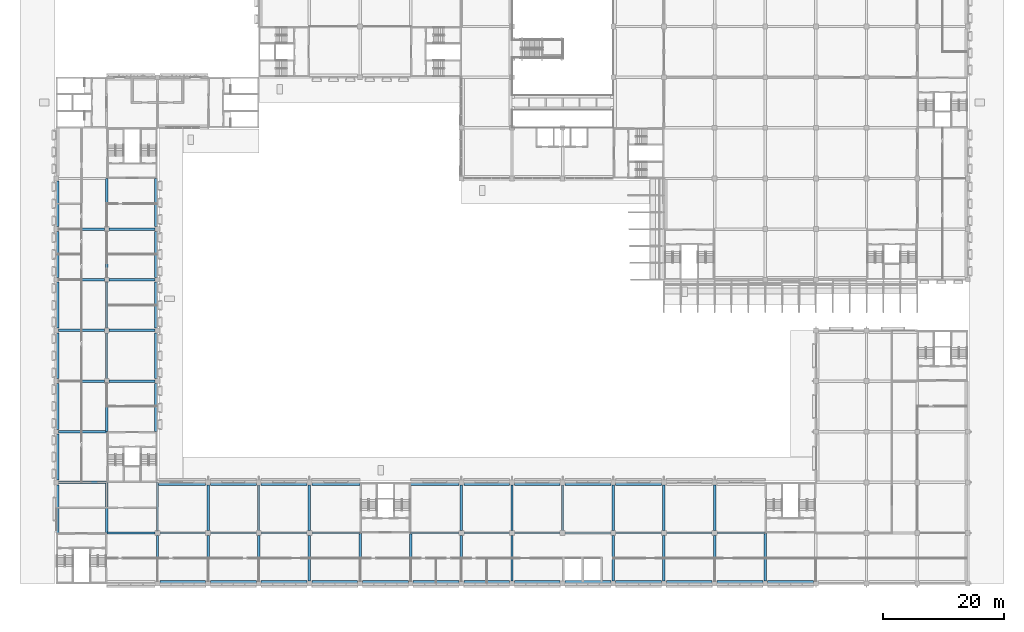
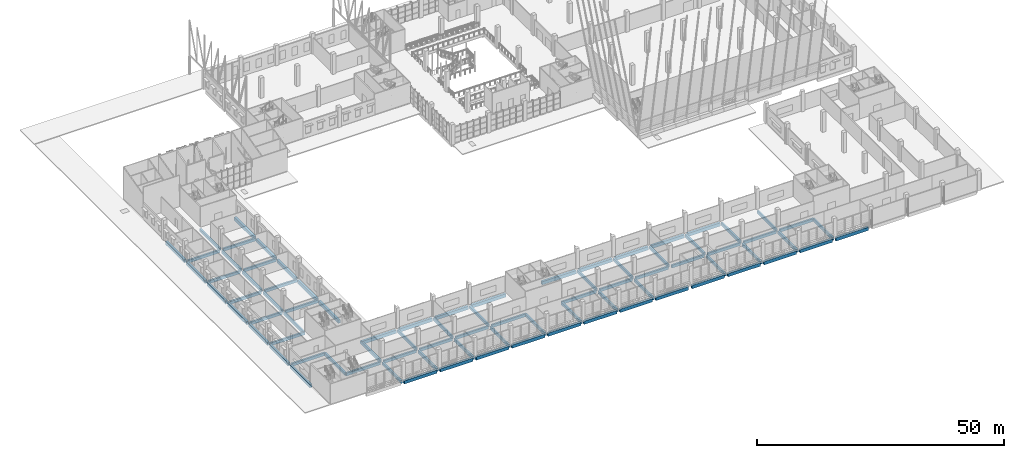
# One storey, part 4 of 101: 84 beams.
"""IFC4 building model written with IfcOpenShell, lengths in metres."""

from ifc_helpers import new_model, si_unit, direction, frame, origin, origin_2d, place, context, subcontext, project, spatial, rectangle, extrude, material, material_profile, profile_set, type_object, element, save


model = new_model("IFC4")

# Units and contexts
model_context = context("Model", 3, precision=1e-05, world=origin(), true_north=direction((0.0, 1.0)))
body_context = subcontext(model_context, "Body", "Model", "MODEL_VIEW")
ifc_project = project(units=[si_unit("LENGTHUNIT", "METRE"), si_unit("AREAUNIT", "SQUARE_METRE"), si_unit("VOLUMEUNIT", "CUBIC_METRE"), si_unit("PLANEANGLEUNIT", "RADIAN"), si_unit("MASSUNIT", "GRAM", prefix="KILO")], contexts=[model_context])

# Site, building, storey
site_placement = place(None, origin())
site = spatial("IfcSite", under=ifc_project, at=site_placement, CompositionType="ELEMENT")
building_placement = place(site_placement, origin())
building = spatial("IfcBuilding", under=site, at=building_placement, Name="Almond Square Museum", CompositionType="ELEMENT")
storey_placement = place(building_placement, frame((0.0, 0.0, 5.5)))
storey = spatial("IfcBuildingStorey", under=building, at=storey_placement, Name="L01", CompositionType="ELEMENT", Elevation=5.5)

# Beams
ifc_material_1 = material(Name="Concrete C40/50", Category="concrete")
ifc_material_profile_1 = material_profile(ifc_material_1, rectangle(XDim=0.39990234375, YDim=0.699951171875, at=origin_2d()))
ifc_profile_set_1 = profile_set([ifc_material_profile_1], Name="Concrete C40/50")
beam_type_1 = type_object("IfcBeamType", Name="RC beam 400 x 700 C40/50", PredefinedType="BEAM", material=ifc_profile_set_1)
beam_1_placement = place(storey_placement, frame((14.39990234375, 8.39990234375, -0.60009765625), z_axis=(1.0, 0.0, 0.0), x_axis=(0.0, 1.0, 0.0)))
element("IfcBeam", 1, at=beam_1_placement, inside=storey, type_object=beam_type_1, Name="Beam B 3-4 L01", PredefinedType="BEAM", context=body_context, shape_type="SweptSolid", body=[
    extrude(rectangle(XDim=0.39990234375, YDim=0.699951171875, at=origin_2d()), origin(), (0.0, 0.0, 1.0), 8.0),
])
beam_2_placement = place(storey_placement, frame((23.199951171875, 8.39990234375, -0.60009765625), z_axis=(1.0, 0.0, 0.0), x_axis=(0.0, 1.0, 0.0)))
element("IfcBeam", 2, at=beam_2_placement, inside=storey, type_object=beam_type_1, Name="Beam B 4-5 L01", PredefinedType="BEAM", context=body_context, shape_type="SweptSolid", body=[
    extrude(rectangle(XDim=0.39990234375, YDim=0.699951171875, at=origin_2d()), origin(), (0.0, 0.0, 1.0), 7.60009765625),
])
beam_3_placement = place(storey_placement, frame((31.60009765625, 8.39990234375, -0.60009765625), z_axis=(1.0, 0.0, 0.0), x_axis=(0.0, 1.0, 0.0)))
element("IfcBeam", 3, at=beam_3_placement, inside=storey, type_object=beam_type_1, Name="Beam B 5-6 L01", PredefinedType="BEAM", context=body_context, shape_type="SweptSolid", body=[
    extrude(rectangle(XDim=0.39990234375, YDim=0.699951171875, at=origin_2d()), origin(), (0.0, 0.0, 1.0), 7.599853515625),
])
beam_4_placement = place(storey_placement, frame((40.0, 8.39990234375, -0.60009765625), z_axis=(1.0, 0.0, 0.0), x_axis=(0.0, 1.0, 0.0)))
element("IfcBeam", 4, at=beam_4_placement, inside=storey, type_object=beam_type_1, Name="Beam B 6-7 L01", PredefinedType="BEAM", context=body_context, shape_type="SweptSolid", body=[
    extrude(rectangle(XDim=0.39990234375, YDim=0.699951171875, at=origin_2d()), origin(), (0.0, 0.0, 1.0), 7.60009765625),
])
for number, where, z_axis, x_axis, name in (
    (5, (48.39990234375, 8.39990234375, -0.60009765625), (1.0, 0.0, 0.0), (0.0, 1.0, 0.0), "Beam B 7-8 L01"),
    (6, (64.800048828125, 8.39990234375, -0.60009765625), (1.0, 0.0, 0.0), (0.0, 1.0, 0.0), "Beam B 9-10 L01"),
):
    element("IfcBeam", number, at=place(storey_placement, frame(where, z_axis=z_axis, x_axis=x_axis)), inside=storey, type_object=beam_type_1, Name=name, PredefinedType="BEAM", context=body_context, shape_type="SweptSolid", body=[
        extrude(rectangle(XDim=0.39990234375, YDim=0.699951171875, at=origin_2d()), origin(), (0.0, 0.0, 1.0), 8.0),
    ])
beam_5_placement = place(storey_placement, frame((73.60009765625, 8.39990234375, -0.60009765625), z_axis=(1.0, 0.0, 0.0), x_axis=(0.0, 1.0, 0.0)))
element("IfcBeam", 7, at=beam_5_placement, inside=storey, type_object=beam_type_1, Name="Beam B 10-11 L01", PredefinedType="BEAM", context=body_context, shape_type="SweptSolid", body=[
    extrude(rectangle(XDim=0.39990234375, YDim=0.699951171875, at=origin_2d()), origin(), (0.0, 0.0, 1.0), 7.599853515625),
])
for number, where, z_axis, x_axis, name in (
    (8, (82.0, 8.39990234375, -0.60009765625), (1.0, 0.0, 0.0), (0.0, 1.0, 0.0), "Beam B 11-12 L01"),
    (9, (90.39990234375, 8.39990234375, -0.60009765625), (1.0, 0.0, 0.0), (0.0, 1.0, 0.0), "Beam B 12-13 L01"),
):
    element("IfcBeam", number, at=place(storey_placement, frame(where, z_axis=z_axis, x_axis=x_axis)), inside=storey, type_object=beam_type_1, Name=name, PredefinedType="BEAM", context=body_context, shape_type="SweptSolid", body=[
        extrude(rectangle(XDim=0.39990234375, YDim=0.699951171875, at=origin_2d()), origin(), (0.0, 0.0, 1.0), 7.60009765625),
    ])
beam_6_placement = place(storey_placement, frame((98.800048828125, 8.39990234375, -0.60009765625), z_axis=(1.0, 0.0, 0.0), x_axis=(0.0, 1.0, 0.0)))
element("IfcBeam", 10, at=beam_6_placement, inside=storey, type_object=beam_type_1, Name="Beam B 13-14 L01", PredefinedType="BEAM", context=body_context, shape_type="SweptSolid", body=[
    extrude(rectangle(XDim=0.39990234375, YDim=0.699951171875, at=origin_2d()), origin(), (0.0, 0.0, 1.0), 7.599853515625),
])
beam_7_placement = place(storey_placement, frame((107.199951171875, 8.39990234375, -0.60009765625), z_axis=(1.0, 0.0, 0.0), x_axis=(0.0, 1.0, 0.0)))
element("IfcBeam", 11, at=beam_7_placement, inside=storey, type_object=beam_type_1, Name="Beam B 14-15 L01", PredefinedType="BEAM", context=body_context, shape_type="SweptSolid", body=[
    extrude(rectangle(XDim=0.39990234375, YDim=0.699951171875, at=origin_2d()), origin(), (0.0, 0.0, 1.0), 7.60009765625),
])
for number, where, z_axis, x_axis, name in (
    (12, (115.60009765625, 8.39990234375, -0.60009765625), (1.0, 0.0, 0.0), (0.0, 1.0, 0.0), "Beam B 15-16 L01"),
    (13, (6.39990234375, 16.800048828125, -0.60009765625), (1.0, 0.0, 0.0), (0.0, 1.0, 0.0), "Beam C 2-3 L01"),
    (14, (6.39990234375, 25.199951171875, -0.60009765625), (1.0, 0.0, 0.0), (0.0, 1.0, 0.0), "Beam D 2-3 L01"),
):
    element("IfcBeam", number, at=place(storey_placement, frame(where, z_axis=z_axis, x_axis=x_axis)), inside=storey, type_object=beam_type_1, Name=name, PredefinedType="BEAM", context=body_context, shape_type="SweptSolid", body=[
        extrude(rectangle(XDim=0.39990234375, YDim=0.699951171875, at=origin_2d()), origin(), (0.0, 0.0, 1.0), 8.0),
    ])
beam_8_placement = place(storey_placement, frame((6.39990234375, 33.60009765625, -0.60009765625), z_axis=(1.0, 0.0, 0.0), x_axis=(0.0, 1.0, 0.0)))
element("IfcBeam", 15, at=beam_8_placement, inside=storey, type_object=beam_type_1, Name="Beam E 2-3 L01", PredefinedType="BEAM", context=body_context, shape_type="SweptSolid", body=[
    extrude(rectangle(XDim=0.39990234375, YDim=0.699951171875, at=origin_2d()), origin(), (0.0, 0.0, 1.0), 7.60009765625),
])
beam_9_placement = place(storey_placement, frame((14.800048828125, 33.60009765625, -0.60009765625), z_axis=(1.0, 0.0, 0.0), x_axis=(0.0, 1.0, 0.0)))
element("IfcBeam", 16, at=beam_9_placement, inside=storey, type_object=beam_type_1, Name="Beam E 3-4 L01", PredefinedType="BEAM", context=body_context, shape_type="SweptSolid", body=[
    extrude(rectangle(XDim=0.39990234375, YDim=0.699951171875, at=origin_2d()), origin(), (0.0, 0.0, 1.0), 7.599853515625),
])
beam_10_placement = place(storey_placement, frame((6.39990234375, 42.0, -0.60009765625), z_axis=(1.0, 0.0, 0.0), x_axis=(0.0, 1.0, 0.0)))
element("IfcBeam", 17, at=beam_10_placement, inside=storey, type_object=beam_type_1, Name="Beam F 2-3 L01", PredefinedType="BEAM", context=body_context, shape_type="SweptSolid", body=[
    extrude(rectangle(XDim=0.39990234375, YDim=0.699951171875, at=origin_2d()), origin(), (0.0, 0.0, 1.0), 7.60009765625),
])
beam_11_placement = place(storey_placement, frame((14.800048828125, 42.0, -0.60009765625), z_axis=(1.0, 0.0, 0.0), x_axis=(0.0, 1.0, 0.0)))
element("IfcBeam", 18, at=beam_11_placement, inside=storey, type_object=beam_type_1, Name="Beam F 3-4 L01", PredefinedType="BEAM", context=body_context, shape_type="SweptSolid", body=[
    extrude(rectangle(XDim=0.39990234375, YDim=0.699951171875, at=origin_2d()), origin(), (0.0, 0.0, 1.0), 7.599853515625),
])
beam_12_placement = place(storey_placement, frame((6.39990234375, 50.39990234375, -0.60009765625), z_axis=(1.0, 0.0, 0.0), x_axis=(0.0, 1.0, 0.0)))
element("IfcBeam", 19, at=beam_12_placement, inside=storey, type_object=beam_type_1, Name="Beam G 2-3 L01", PredefinedType="BEAM", context=body_context, shape_type="SweptSolid", body=[
    extrude(rectangle(XDim=0.39990234375, YDim=0.699951171875, at=origin_2d()), origin(), (0.0, 0.0, 1.0), 7.60009765625),
])
beam_13_placement = place(storey_placement, frame((14.800048828125, 50.39990234375, -0.60009765625), z_axis=(1.0, 0.0, 0.0), x_axis=(0.0, 1.0, 0.0)))
element("IfcBeam", 20, at=beam_13_placement, inside=storey, type_object=beam_type_1, Name="Beam G 3-4 L01", PredefinedType="BEAM", context=body_context, shape_type="SweptSolid", body=[
    extrude(rectangle(XDim=0.39990234375, YDim=0.699951171875, at=origin_2d()), origin(), (0.0, 0.0, 1.0), 7.599853515625),
])
beam_14_placement = place(storey_placement, frame((6.39990234375, 58.800048828125, -0.60009765625), z_axis=(1.0, 0.0, 0.0), x_axis=(0.0, 1.0, 0.0)))
element("IfcBeam", 21, at=beam_14_placement, inside=storey, type_object=beam_type_1, Name="Beam H 2-3 L01", PredefinedType="BEAM", context=body_context, shape_type="SweptSolid", body=[
    extrude(rectangle(XDim=0.39990234375, YDim=0.699951171875, at=origin_2d()), origin(), (0.0, 0.0, 1.0), 7.60009765625),
])
beam_15_placement = place(storey_placement, frame((14.800048828125, 58.800048828125, -0.60009765625), z_axis=(1.0, 0.0, 0.0), x_axis=(0.0, 1.0, 0.0)))
element("IfcBeam", 22, at=beam_15_placement, inside=storey, type_object=beam_type_1, Name="Beam H 3-4 L01", PredefinedType="BEAM", context=body_context, shape_type="SweptSolid", body=[
    extrude(rectangle(XDim=0.39990234375, YDim=0.699951171875, at=origin_2d()), origin(), (0.0, 0.0, 1.0), 7.599853515625),
])
beam_16_placement = place(storey_placement, frame((14.39990234375, 8.39990234375, -0.60009765625), z_axis=(0.0, 1.0, 0.0), x_axis=(-1.0, 0.0, 0.0)))
element("IfcBeam", 23, at=beam_16_placement, inside=storey, type_object=beam_type_1, Name="Beam 3 B-C L01", PredefinedType="BEAM", context=body_context, shape_type="SweptSolid", body=[
    extrude(rectangle(XDim=0.39990234375, YDim=0.699951171875, at=origin_2d()), origin(), (0.0, 0.0, 1.0), 8.400146484375),
])
beam_17_placement = place(storey_placement, frame((14.39990234375, 25.199951171875, -0.60009765625), z_axis=(0.0, 1.0, 0.0), x_axis=(-1.0, 0.0, 0.0)))
element("IfcBeam", 24, at=beam_17_placement, inside=storey, type_object=beam_type_1, Name="Beam 3 D-E L01", PredefinedType="BEAM", context=body_context, shape_type="SweptSolid", body=[
    extrude(rectangle(XDim=0.39990234375, YDim=0.699951171875, at=origin_2d()), origin(), (0.0, 0.0, 1.0), 8.0),
])
for number, where, z_axis, x_axis, name in (
    (25, (14.39990234375, 34.0, -0.60009765625), (0.0, 1.0, 0.0), (-1.0, 0.0, 0.0), "Beam 3 E-F L01"),
    (26, (14.39990234375, 42.39990234375, -0.60009765625), (0.0, 1.0, 0.0), (-1.0, 0.0, 0.0), "Beam 3 F-G L01"),
):
    element("IfcBeam", number, at=place(storey_placement, frame(where, z_axis=z_axis, x_axis=x_axis)), inside=storey, type_object=beam_type_1, Name=name, PredefinedType="BEAM", context=body_context, shape_type="SweptSolid", body=[
        extrude(rectangle(XDim=0.39990234375, YDim=0.699951171875, at=origin_2d()), origin(), (0.0, 0.0, 1.0), 7.60009765625),
    ])
beam_18_placement = place(storey_placement, frame((14.39990234375, 50.800048828125, -0.60009765625), z_axis=(0.0, 1.0, 0.0), x_axis=(-1.0, 0.0, 0.0)))
element("IfcBeam", 27, at=beam_18_placement, inside=storey, type_object=beam_type_1, Name="Beam 3 G-H L01", PredefinedType="BEAM", context=body_context, shape_type="SweptSolid", body=[
    extrude(rectangle(XDim=0.39990234375, YDim=0.699951171875, at=origin_2d()), origin(), (0.0, 0.0, 1.0), 7.599853515625),
])
beam_19_placement = place(storey_placement, frame((14.39990234375, 59.199951171875, -0.60009765625), z_axis=(0.0, 1.0, 0.0), x_axis=(-1.0, 0.0, 0.0)))
element("IfcBeam", 28, at=beam_19_placement, inside=storey, type_object=beam_type_1, Name="Beam 3 H-I L01", PredefinedType="BEAM", context=body_context, shape_type="SweptSolid", body=[
    extrude(rectangle(XDim=0.39990234375, YDim=0.699951171875, at=origin_2d()), origin(), (0.0, 0.0, 1.0), 8.0),
])
beam_20_placement = place(storey_placement, frame((22.800048828125, 0.39990234375, -0.60009765625), z_axis=(0.0, 1.0, 0.0), x_axis=(-1.0, 0.0, 0.0)))
element("IfcBeam", 29, at=beam_20_placement, inside=storey, type_object=beam_type_1, Name="Beam 4 A-B L01", PredefinedType="BEAM", context=body_context, shape_type="SweptSolid", body=[
    extrude(rectangle(XDim=0.39990234375, YDim=0.699951171875, at=origin_2d()), origin(), (0.0, 0.0, 1.0), 7.60009765625),
])
beam_21_placement = place(storey_placement, frame((22.800048828125, 8.800048828125, -0.60009765625), z_axis=(0.0, 1.0, 0.0), x_axis=(-1.0, 0.0, 0.0)))
element("IfcBeam", 30, at=beam_21_placement, inside=storey, type_object=beam_type_1, Name="Beam 4 B-C L01", PredefinedType="BEAM", context=body_context, shape_type="SweptSolid", body=[
    extrude(rectangle(XDim=0.39990234375, YDim=0.699951171875, at=origin_2d()), origin(), (0.0, 0.0, 1.0), 8.0),
])
beam_22_placement = place(storey_placement, frame((31.199951171875, 0.39990234375, -0.60009765625), z_axis=(0.0, 1.0, 0.0), x_axis=(-1.0, 0.0, 0.0)))
element("IfcBeam", 31, at=beam_22_placement, inside=storey, type_object=beam_type_1, Name="Beam 5 A-B L01", PredefinedType="BEAM", context=body_context, shape_type="SweptSolid", body=[
    extrude(rectangle(XDim=0.39990234375, YDim=0.699951171875, at=origin_2d()), origin(), (0.0, 0.0, 1.0), 7.60009765625),
])
beam_23_placement = place(storey_placement, frame((31.199951171875, 8.800048828125, -0.60009765625), z_axis=(0.0, 1.0, 0.0), x_axis=(-1.0, 0.0, 0.0)))
element("IfcBeam", 32, at=beam_23_placement, inside=storey, type_object=beam_type_1, Name="Beam 5 B-C L01", PredefinedType="BEAM", context=body_context, shape_type="SweptSolid", body=[
    extrude(rectangle(XDim=0.39990234375, YDim=0.699951171875, at=origin_2d()), origin(), (0.0, 0.0, 1.0), 7.599853515625),
])
beam_24_placement = place(storey_placement, frame((39.60009765625, 0.39990234375, -0.60009765625), z_axis=(0.0, 1.0, 0.0), x_axis=(-1.0, 0.0, 0.0)))
element("IfcBeam", 33, at=beam_24_placement, inside=storey, type_object=beam_type_1, Name="Beam 6 A-B L01", PredefinedType="BEAM", context=body_context, shape_type="SweptSolid", body=[
    extrude(rectangle(XDim=0.39990234375, YDim=0.699951171875, at=origin_2d()), origin(), (0.0, 0.0, 1.0), 7.60009765625),
])
beam_25_placement = place(storey_placement, frame((39.60009765625, 8.800048828125, -0.60009765625), z_axis=(0.0, 1.0, 0.0), x_axis=(-1.0, 0.0, 0.0)))
element("IfcBeam", 34, at=beam_25_placement, inside=storey, type_object=beam_type_1, Name="Beam 6 B-C L01", PredefinedType="BEAM", context=body_context, shape_type="SweptSolid", body=[
    extrude(rectangle(XDim=0.39990234375, YDim=0.699951171875, at=origin_2d()), origin(), (0.0, 0.0, 1.0), 7.599853515625),
])
beam_26_placement = place(storey_placement, frame((48.0, 0.39990234375, -0.60009765625), z_axis=(0.0, 1.0, 0.0), x_axis=(-1.0, 0.0, 0.0)))
element("IfcBeam", 35, at=beam_26_placement, inside=storey, type_object=beam_type_1, Name="Beam 7 A-B L01", PredefinedType="BEAM", context=body_context, shape_type="SweptSolid", body=[
    extrude(rectangle(XDim=0.39990234375, YDim=0.699951171875, at=origin_2d()), origin(), (0.0, 0.0, 1.0), 7.60009765625),
])
beam_27_placement = place(storey_placement, frame((48.0, 8.800048828125, -0.60009765625), z_axis=(0.0, 1.0, 0.0), x_axis=(-1.0, 0.0, 0.0)))
element("IfcBeam", 36, at=beam_27_placement, inside=storey, type_object=beam_type_1, Name="Beam 7 B-C L01", PredefinedType="BEAM", context=body_context, shape_type="SweptSolid", body=[
    extrude(rectangle(XDim=0.39990234375, YDim=0.699951171875, at=origin_2d()), origin(), (0.0, 0.0, 1.0), 7.599853515625),
])
for number, where, z_axis, x_axis, name in (
    (37, (56.39990234375, 0.39990234375, -0.60009765625), (0.0, 1.0, 0.0), (-1.0, 0.0, 0.0), "Beam 8 A-B L01"),
    (38, (64.800048828125, 0.39990234375, -0.60009765625), (0.0, 1.0, 0.0), (-1.0, 0.0, 0.0), "Beam 9 A-B L01"),
):
    element("IfcBeam", number, at=place(storey_placement, frame(where, z_axis=z_axis, x_axis=x_axis)), inside=storey, type_object=beam_type_1, Name=name, PredefinedType="BEAM", context=body_context, shape_type="SweptSolid", body=[
        extrude(rectangle(XDim=0.39990234375, YDim=0.699951171875, at=origin_2d()), origin(), (0.0, 0.0, 1.0), 8.0),
    ])
beam_28_placement = place(storey_placement, frame((73.199951171875, 0.39990234375, -0.60009765625), z_axis=(0.0, 1.0, 0.0), x_axis=(-1.0, 0.0, 0.0)))
element("IfcBeam", 39, at=beam_28_placement, inside=storey, type_object=beam_type_1, Name="Beam 10 A-B L01", PredefinedType="BEAM", context=body_context, shape_type="SweptSolid", body=[
    extrude(rectangle(XDim=0.39990234375, YDim=0.699951171875, at=origin_2d()), origin(), (0.0, 0.0, 1.0), 7.60009765625),
])
beam_29_placement = place(storey_placement, frame((73.199951171875, 8.800048828125, -0.60009765625), z_axis=(0.0, 1.0, 0.0), x_axis=(-1.0, 0.0, 0.0)))
element("IfcBeam", 40, at=beam_29_placement, inside=storey, type_object=beam_type_1, Name="Beam 10 B-C L01", PredefinedType="BEAM", context=body_context, shape_type="SweptSolid", body=[
    extrude(rectangle(XDim=0.39990234375, YDim=0.699951171875, at=origin_2d()), origin(), (0.0, 0.0, 1.0), 7.599853515625),
])
beam_30_placement = place(storey_placement, frame((81.60009765625, 0.39990234375, -0.60009765625), z_axis=(0.0, 1.0, 0.0), x_axis=(-1.0, 0.0, 0.0)))
element("IfcBeam", 41, at=beam_30_placement, inside=storey, type_object=beam_type_1, Name="Beam 11 A-B L01", PredefinedType="BEAM", context=body_context, shape_type="SweptSolid", body=[
    extrude(rectangle(XDim=0.39990234375, YDim=0.699951171875, at=origin_2d()), origin(), (0.0, 0.0, 1.0), 7.60009765625),
])
for number, where, z_axis, x_axis, name in (
    (42, (81.60009765625, 8.800048828125, -0.60009765625), (0.0, 1.0, 0.0), (-1.0, 0.0, 0.0), "Beam 11 B-C L01"),
    (43, (90.0, 8.800048828125, -0.60009765625), (0.0, 1.0, 0.0), (-1.0, 0.0, 0.0), "Beam 12 B-C L01"),
):
    element("IfcBeam", number, at=place(storey_placement, frame(where, z_axis=z_axis, x_axis=x_axis)), inside=storey, type_object=beam_type_1, Name=name, PredefinedType="BEAM", context=body_context, shape_type="SweptSolid", body=[
        extrude(rectangle(XDim=0.39990234375, YDim=0.699951171875, at=origin_2d()), origin(), (0.0, 0.0, 1.0), 7.599853515625),
    ])
beam_31_placement = place(storey_placement, frame((98.39990234375, 0.39990234375, -0.60009765625), z_axis=(0.0, 1.0, 0.0), x_axis=(-1.0, 0.0, 0.0)))
element("IfcBeam", 44, at=beam_31_placement, inside=storey, type_object=beam_type_1, Name="Beam 13 A-B L01", PredefinedType="BEAM", context=body_context, shape_type="SweptSolid", body=[
    extrude(rectangle(XDim=0.39990234375, YDim=0.699951171875, at=origin_2d()), origin(), (0.0, 0.0, 1.0), 7.60009765625),
])
beam_32_placement = place(storey_placement, frame((98.39990234375, 8.800048828125, -0.60009765625), z_axis=(0.0, 1.0, 0.0), x_axis=(-1.0, 0.0, 0.0)))
element("IfcBeam", 45, at=beam_32_placement, inside=storey, type_object=beam_type_1, Name="Beam 13 B-C L01", PredefinedType="BEAM", context=body_context, shape_type="SweptSolid", body=[
    extrude(rectangle(XDim=0.39990234375, YDim=0.699951171875, at=origin_2d()), origin(), (0.0, 0.0, 1.0), 7.599853515625),
])
beam_33_placement = place(storey_placement, frame((106.800048828125, 0.39990234375, -0.60009765625), z_axis=(0.0, 1.0, 0.0), x_axis=(-1.0, 0.0, 0.0)))
element("IfcBeam", 46, at=beam_33_placement, inside=storey, type_object=beam_type_1, Name="Beam 14 A-B L01", PredefinedType="BEAM", context=body_context, shape_type="SweptSolid", body=[
    extrude(rectangle(XDim=0.39990234375, YDim=0.699951171875, at=origin_2d()), origin(), (0.0, 0.0, 1.0), 7.60009765625),
])
beam_34_placement = place(storey_placement, frame((106.800048828125, 8.800048828125, -0.60009765625), z_axis=(0.0, 1.0, 0.0), x_axis=(-1.0, 0.0, 0.0)))
element("IfcBeam", 47, at=beam_34_placement, inside=storey, type_object=beam_type_1, Name="Beam 14 B-C L01", PredefinedType="BEAM", context=body_context, shape_type="SweptSolid", body=[
    extrude(rectangle(XDim=0.39990234375, YDim=0.699951171875, at=origin_2d()), origin(), (0.0, 0.0, 1.0), 7.599853515625),
])
beam_35_placement = place(storey_placement, frame((115.199951171875, 0.39990234375, -0.60009765625), z_axis=(0.0, 1.0, 0.0), x_axis=(-1.0, 0.0, 0.0)))
element("IfcBeam", 48, at=beam_35_placement, inside=storey, type_object=beam_type_1, Name="Beam 15 A-B L01", PredefinedType="BEAM", context=body_context, shape_type="SweptSolid", body=[
    extrude(rectangle(XDim=0.39990234375, YDim=0.699951171875, at=origin_2d()), origin(), (0.0, 0.0, 1.0), 7.60009765625),
])
beam_36_placement = place(storey_placement, frame((115.199951171875, 8.800048828125, -0.60009765625), z_axis=(0.0, 1.0, 0.0), x_axis=(-1.0, 0.0, 0.0)))
element("IfcBeam", 49, at=beam_36_placement, inside=storey, type_object=beam_type_1, Name="Beam 15 B-C L01", PredefinedType="BEAM", context=body_context, shape_type="SweptSolid", body=[
    extrude(rectangle(XDim=0.39990234375, YDim=0.699951171875, at=origin_2d()), origin(), (0.0, 0.0, 1.0), 7.599853515625),
])
beam_37_placement = place(storey_placement, frame((123.60009765625, 0.39990234375, -0.60009765625), z_axis=(0.0, 1.0, 0.0), x_axis=(-1.0, 0.0, 0.0)))
element("IfcBeam", 50, at=beam_37_placement, inside=storey, type_object=beam_type_1, Name="Beam 16 A-B L01", PredefinedType="BEAM", context=body_context, shape_type="SweptSolid", body=[
    extrude(rectangle(XDim=0.39990234375, YDim=0.699951171875, at=origin_2d()), origin(), (0.0, 0.0, 1.0), 8.0),
])
ifc_material_2 = material(Name="Concrete C40/50", Category="concrete")
ifc_material_profile_2 = material_profile(ifc_material_2, rectangle(XDim=0.5, YDim=0.800048828125, at=origin_2d()))
ifc_profile_set_2 = profile_set([ifc_material_profile_2], Name="Concrete C40/50")
beam_type_2 = type_object("IfcBeamType", Name="RC edge beam 500 x 800 C40/50", PredefinedType="BEAM", material=ifc_profile_set_2)
beam_38_placement = place(storey_placement, frame((23.199951171875, 0.25, -0.64990234375), z_axis=(1.0, 0.0, 0.0), x_axis=(0.0, 1.0, 0.0)))
element("IfcBeam", 51, at=beam_38_placement, inside=storey, type_object=beam_type_2, Name="Edge beam A 4-5 L01", PredefinedType="BEAM", context=body_context, shape_type="SweptSolid", body=[
    extrude(rectangle(XDim=0.5, YDim=0.800048828125, at=origin_2d()), origin(), (0.0, 0.0, 1.0), 7.60009765625),
])
beam_39_placement = place(storey_placement, frame((31.60009765625, 0.25, -0.64990234375), z_axis=(1.0, 0.0, 0.0), x_axis=(0.0, 1.0, 0.0)))
element("IfcBeam", 52, at=beam_39_placement, inside=storey, type_object=beam_type_2, Name="Edge beam A 5-6 L01", PredefinedType="BEAM", context=body_context, shape_type="SweptSolid", body=[
    extrude(rectangle(XDim=0.5, YDim=0.800048828125, at=origin_2d()), origin(), (0.0, 0.0, 1.0), 7.599853515625),
])
for number, where, z_axis, x_axis, name in (
    (53, (40.0, 0.25, -0.64990234375), (1.0, 0.0, 0.0), (0.0, 1.0, 0.0), "Edge beam A 6-7 L01"),
    (54, (48.39990234375, 0.25, -0.64990234375), (1.0, 0.0, 0.0), (0.0, 1.0, 0.0), "Edge beam A 7-8 L01"),
):
    element("IfcBeam", number, at=place(storey_placement, frame(where, z_axis=z_axis, x_axis=x_axis)), inside=storey, type_object=beam_type_2, Name=name, PredefinedType="BEAM", context=body_context, shape_type="SweptSolid", body=[
        extrude(rectangle(XDim=0.5, YDim=0.800048828125, at=origin_2d()), origin(), (0.0, 0.0, 1.0), 7.60009765625),
    ])
beam_40_placement = place(storey_placement, frame((56.800048828125, 0.25, -0.64990234375), z_axis=(1.0, 0.0, 0.0), x_axis=(0.0, 1.0, 0.0)))
element("IfcBeam", 55, at=beam_40_placement, inside=storey, type_object=beam_type_2, Name="Edge beam A 8-9 L01", PredefinedType="BEAM", context=body_context, shape_type="SweptSolid", body=[
    extrude(rectangle(XDim=0.5, YDim=0.800048828125, at=origin_2d()), origin(), (0.0, 0.0, 1.0), 7.599853515625),
])
beam_41_placement = place(storey_placement, frame((65.199951171875, 0.25, -0.64990234375), z_axis=(1.0, 0.0, 0.0), x_axis=(0.0, 1.0, 0.0)))
element("IfcBeam", 56, at=beam_41_placement, inside=storey, type_object=beam_type_2, Name="Edge beam A 9-10 L01", PredefinedType="BEAM", context=body_context, shape_type="SweptSolid", body=[
    extrude(rectangle(XDim=0.5, YDim=0.800048828125, at=origin_2d()), origin(), (0.0, 0.0, 1.0), 7.60009765625),
])
beam_42_placement = place(storey_placement, frame((73.60009765625, 0.25, -0.64990234375), z_axis=(1.0, 0.0, 0.0), x_axis=(0.0, 1.0, 0.0)))
element("IfcBeam", 57, at=beam_42_placement, inside=storey, type_object=beam_type_2, Name="Edge beam A 10-11 L01", PredefinedType="BEAM", context=body_context, shape_type="SweptSolid", body=[
    extrude(rectangle(XDim=0.5, YDim=0.800048828125, at=origin_2d()), origin(), (0.0, 0.0, 1.0), 7.599853515625),
])
for number, where, z_axis, x_axis, name in (
    (58, (82.0, 0.25, -0.64990234375), (1.0, 0.0, 0.0), (0.0, 1.0, 0.0), "Edge beam A 11-12 L01"),
    (59, (90.39990234375, 0.25, -0.64990234375), (1.0, 0.0, 0.0), (0.0, 1.0, 0.0), "Edge beam A 12-13 L01"),
):
    element("IfcBeam", number, at=place(storey_placement, frame(where, z_axis=z_axis, x_axis=x_axis)), inside=storey, type_object=beam_type_2, Name=name, PredefinedType="BEAM", context=body_context, shape_type="SweptSolid", body=[
        extrude(rectangle(XDim=0.5, YDim=0.800048828125, at=origin_2d()), origin(), (0.0, 0.0, 1.0), 7.60009765625),
    ])
beam_43_placement = place(storey_placement, frame((98.800048828125, 0.25, -0.64990234375), z_axis=(1.0, 0.0, 0.0), x_axis=(0.0, 1.0, 0.0)))
element("IfcBeam", 60, at=beam_43_placement, inside=storey, type_object=beam_type_2, Name="Edge beam A 13-14 L01", PredefinedType="BEAM", context=body_context, shape_type="SweptSolid", body=[
    extrude(rectangle(XDim=0.5, YDim=0.800048828125, at=origin_2d()), origin(), (0.0, 0.0, 1.0), 7.599853515625),
])
beam_44_placement = place(storey_placement, frame((107.199951171875, 0.25, -0.64990234375), z_axis=(1.0, 0.0, 0.0), x_axis=(0.0, 1.0, 0.0)))
element("IfcBeam", 61, at=beam_44_placement, inside=storey, type_object=beam_type_2, Name="Edge beam A 14-15 L01", PredefinedType="BEAM", context=body_context, shape_type="SweptSolid", body=[
    extrude(rectangle(XDim=0.5, YDim=0.800048828125, at=origin_2d()), origin(), (0.0, 0.0, 1.0), 7.60009765625),
])
beam_45_placement = place(storey_placement, frame((115.60009765625, 0.25, -0.64990234375), z_axis=(1.0, 0.0, 0.0), x_axis=(0.0, 1.0, 0.0)))
element("IfcBeam", 62, at=beam_45_placement, inside=storey, type_object=beam_type_2, Name="Edge beam A 15-16 L01", PredefinedType="BEAM", context=body_context, shape_type="SweptSolid", body=[
    extrude(rectangle(XDim=0.5, YDim=0.800048828125, at=origin_2d()), origin(), (0.0, 0.0, 1.0), 7.599853515625),
])
beam_46_placement = place(storey_placement, frame((124.0, 0.25, -0.64990234375), z_axis=(1.0, 0.0, 0.0), x_axis=(0.0, 1.0, 0.0)))
element("IfcBeam", 63, at=beam_46_placement, inside=storey, type_object=beam_type_2, Name="Edge beam A 16-17 L01", PredefinedType="BEAM", context=body_context, shape_type="SweptSolid", body=[
    extrude(rectangle(XDim=0.5, YDim=0.800048828125, at=origin_2d()), origin(), (0.0, 0.0, 1.0), 7.60009765625),
])
beam_47_placement = place(storey_placement, frame((22.800048828125, 16.550048828125, -0.64990234375), z_axis=(1.0, 0.0, 0.0), x_axis=(0.0, 1.0, 0.0)))
element("IfcBeam", 64, at=beam_47_placement, inside=storey, type_object=beam_type_2, Name="Edge beam C 4-5 L01", PredefinedType="BEAM", context=body_context, shape_type="SweptSolid", body=[
    extrude(rectangle(XDim=0.5, YDim=0.800048828125, at=origin_2d()), origin(), (0.0, 0.0, 1.0), 8.0),
])
beam_48_placement = place(storey_placement, frame((31.60009765625, 16.550048828125, -0.64990234375), z_axis=(1.0, 0.0, 0.0), x_axis=(0.0, 1.0, 0.0)))
element("IfcBeam", 65, at=beam_48_placement, inside=storey, type_object=beam_type_2, Name="Edge beam C 5-6 L01", PredefinedType="BEAM", context=body_context, shape_type="SweptSolid", body=[
    extrude(rectangle(XDim=0.5, YDim=0.800048828125, at=origin_2d()), origin(), (0.0, 0.0, 1.0), 7.599853515625),
])
beam_49_placement = place(storey_placement, frame((40.0, 16.550048828125, -0.64990234375), z_axis=(1.0, 0.0, 0.0), x_axis=(0.0, 1.0, 0.0)))
element("IfcBeam", 66, at=beam_49_placement, inside=storey, type_object=beam_type_2, Name="Edge beam C 6-7 L01", PredefinedType="BEAM", context=body_context, shape_type="SweptSolid", body=[
    extrude(rectangle(XDim=0.5, YDim=0.800048828125, at=origin_2d()), origin(), (0.0, 0.0, 1.0), 7.60009765625),
])
for number, where, z_axis, x_axis, name in (
    (67, (48.39990234375, 16.550048828125, -0.64990234375), (1.0, 0.0, 0.0), (0.0, 1.0, 0.0), "Edge beam C 7-8 L01"),
    (68, (64.800048828125, 16.550048828125, -0.64990234375), (1.0, 0.0, 0.0), (0.0, 1.0, 0.0), "Edge beam C 9-10 L01"),
):
    element("IfcBeam", number, at=place(storey_placement, frame(where, z_axis=z_axis, x_axis=x_axis)), inside=storey, type_object=beam_type_2, Name=name, PredefinedType="BEAM", context=body_context, shape_type="SweptSolid", body=[
        extrude(rectangle(XDim=0.5, YDim=0.800048828125, at=origin_2d()), origin(), (0.0, 0.0, 1.0), 8.0),
    ])
beam_50_placement = place(storey_placement, frame((73.60009765625, 16.550048828125, -0.64990234375), z_axis=(1.0, 0.0, 0.0), x_axis=(0.0, 1.0, 0.0)))
element("IfcBeam", 69, at=beam_50_placement, inside=storey, type_object=beam_type_2, Name="Edge beam C 10-11 L01", PredefinedType="BEAM", context=body_context, shape_type="SweptSolid", body=[
    extrude(rectangle(XDim=0.5, YDim=0.800048828125, at=origin_2d()), origin(), (0.0, 0.0, 1.0), 7.599853515625),
])
for number, where, z_axis, x_axis, name in (
    (70, (82.0, 16.550048828125, -0.64990234375), (1.0, 0.0, 0.0), (0.0, 1.0, 0.0), "Edge beam C 11-12 L01"),
    (71, (90.39990234375, 16.550048828125, -0.64990234375), (1.0, 0.0, 0.0), (0.0, 1.0, 0.0), "Edge beam C 12-13 L01"),
):
    element("IfcBeam", number, at=place(storey_placement, frame(where, z_axis=z_axis, x_axis=x_axis)), inside=storey, type_object=beam_type_2, Name=name, PredefinedType="BEAM", context=body_context, shape_type="SweptSolid", body=[
        extrude(rectangle(XDim=0.5, YDim=0.800048828125, at=origin_2d()), origin(), (0.0, 0.0, 1.0), 7.60009765625),
    ])
beam_51_placement = place(storey_placement, frame((98.800048828125, 16.550048828125, -0.64990234375), z_axis=(1.0, 0.0, 0.0), x_axis=(0.0, 1.0, 0.0)))
element("IfcBeam", 72, at=beam_51_placement, inside=storey, type_object=beam_type_2, Name="Edge beam C 13-14 L01", PredefinedType="BEAM", context=body_context, shape_type="SweptSolid", body=[
    extrude(rectangle(XDim=0.5, YDim=0.800048828125, at=origin_2d()), origin(), (0.0, 0.0, 1.0), 7.599853515625),
])
beam_52_placement = place(storey_placement, frame((6.25, 8.39990234375, -0.64990234375), z_axis=(0.0, 1.0, 0.0), x_axis=(-1.0, 0.0, 0.0)))
element("IfcBeam", 73, at=beam_52_placement, inside=storey, type_object=beam_type_2, Name="Edge beam 2 B-C L01", PredefinedType="BEAM", context=body_context, shape_type="SweptSolid", body=[
    extrude(rectangle(XDim=0.5, YDim=0.800048828125, at=origin_2d()), origin(), (0.0, 0.0, 1.0), 8.0),
])
beam_53_placement = place(storey_placement, frame((6.25, 17.199951171875, -0.64990234375), z_axis=(0.0, 1.0, 0.0), x_axis=(-1.0, 0.0, 0.0)))
element("IfcBeam", 74, at=beam_53_placement, inside=storey, type_object=beam_type_2, Name="Edge beam 2 C-D L01", PredefinedType="BEAM", context=body_context, shape_type="SweptSolid", body=[
    extrude(rectangle(XDim=0.5, YDim=0.800048828125, at=origin_2d()), origin(), (0.0, 0.0, 1.0), 7.60009765625),
])
beam_54_placement = place(storey_placement, frame((6.25, 25.60009765625, -0.64990234375), z_axis=(0.0, 1.0, 0.0), x_axis=(-1.0, 0.0, 0.0)))
element("IfcBeam", 75, at=beam_54_placement, inside=storey, type_object=beam_type_2, Name="Edge beam 2 D-E L01", PredefinedType="BEAM", context=body_context, shape_type="SweptSolid", body=[
    extrude(rectangle(XDim=0.5, YDim=0.800048828125, at=origin_2d()), origin(), (0.0, 0.0, 1.0), 7.599853515625),
])
for number, where, z_axis, x_axis, name in (
    (76, (6.25, 34.0, -0.64990234375), (0.0, 1.0, 0.0), (-1.0, 0.0, 0.0), "Edge beam 2 E-F L01"),
    (77, (6.25, 42.39990234375, -0.64990234375), (0.0, 1.0, 0.0), (-1.0, 0.0, 0.0), "Edge beam 2 F-G L01"),
):
    element("IfcBeam", number, at=place(storey_placement, frame(where, z_axis=z_axis, x_axis=x_axis)), inside=storey, type_object=beam_type_2, Name=name, PredefinedType="BEAM", context=body_context, shape_type="SweptSolid", body=[
        extrude(rectangle(XDim=0.5, YDim=0.800048828125, at=origin_2d()), origin(), (0.0, 0.0, 1.0), 7.60009765625),
    ])
beam_55_placement = place(storey_placement, frame((6.25, 50.800048828125, -0.64990234375), z_axis=(0.0, 1.0, 0.0), x_axis=(-1.0, 0.0, 0.0)))
element("IfcBeam", 78, at=beam_55_placement, inside=storey, type_object=beam_type_2, Name="Edge beam 2 G-H L01", PredefinedType="BEAM", context=body_context, shape_type="SweptSolid", body=[
    extrude(rectangle(XDim=0.5, YDim=0.800048828125, at=origin_2d()), origin(), (0.0, 0.0, 1.0), 7.599853515625),
])
beam_56_placement = place(storey_placement, frame((6.25, 59.199951171875, -0.64990234375), z_axis=(0.0, 1.0, 0.0), x_axis=(-1.0, 0.0, 0.0)))
element("IfcBeam", 79, at=beam_56_placement, inside=storey, type_object=beam_type_2, Name="Edge beam 2 H-I L01", PredefinedType="BEAM", context=body_context, shape_type="SweptSolid", body=[
    extrude(rectangle(XDim=0.5, YDim=0.800048828125, at=origin_2d()), origin(), (0.0, 0.0, 1.0), 7.60009765625),
])
beam_57_placement = place(storey_placement, frame((22.550048828125, 25.199951171875, -0.64990234375), z_axis=(0.0, 1.0, 0.0), x_axis=(-1.0, 0.0, 0.0)))
element("IfcBeam", 80, at=beam_57_placement, inside=storey, type_object=beam_type_2, Name="Edge beam 4 D-E L01", PredefinedType="BEAM", context=body_context, shape_type="SweptSolid", body=[
    extrude(rectangle(XDim=0.5, YDim=0.800048828125, at=origin_2d()), origin(), (0.0, 0.0, 1.0), 8.0),
])
for number, where, z_axis, x_axis, name in (
    (81, (22.550048828125, 34.0, -0.64990234375), (0.0, 1.0, 0.0), (-1.0, 0.0, 0.0), "Edge beam 4 E-F L01"),
    (82, (22.550048828125, 42.39990234375, -0.64990234375), (0.0, 1.0, 0.0), (-1.0, 0.0, 0.0), "Edge beam 4 F-G L01"),
):
    element("IfcBeam", number, at=place(storey_placement, frame(where, z_axis=z_axis, x_axis=x_axis)), inside=storey, type_object=beam_type_2, Name=name, PredefinedType="BEAM", context=body_context, shape_type="SweptSolid", body=[
        extrude(rectangle(XDim=0.5, YDim=0.800048828125, at=origin_2d()), origin(), (0.0, 0.0, 1.0), 7.60009765625),
    ])
beam_58_placement = place(storey_placement, frame((22.550048828125, 50.800048828125, -0.64990234375), z_axis=(0.0, 1.0, 0.0), x_axis=(-1.0, 0.0, 0.0)))
element("IfcBeam", 83, at=beam_58_placement, inside=storey, type_object=beam_type_2, Name="Edge beam 4 G-H L01", PredefinedType="BEAM", context=body_context, shape_type="SweptSolid", body=[
    extrude(rectangle(XDim=0.5, YDim=0.800048828125, at=origin_2d()), origin(), (0.0, 0.0, 1.0), 7.599853515625),
])
beam_59_placement = place(storey_placement, frame((22.550048828125, 59.199951171875, -0.64990234375), z_axis=(0.0, 1.0, 0.0), x_axis=(-1.0, 0.0, 0.0)))
element("IfcBeam", 84, at=beam_59_placement, inside=storey, type_object=beam_type_2, Name="Edge beam 4 H-I L01", PredefinedType="BEAM", context=body_context, shape_type="SweptSolid", body=[
    extrude(rectangle(XDim=0.5, YDim=0.800048828125, at=origin_2d()), origin(), (0.0, 0.0, 1.0), 8.0),
])

save(model, "model.ifc")
